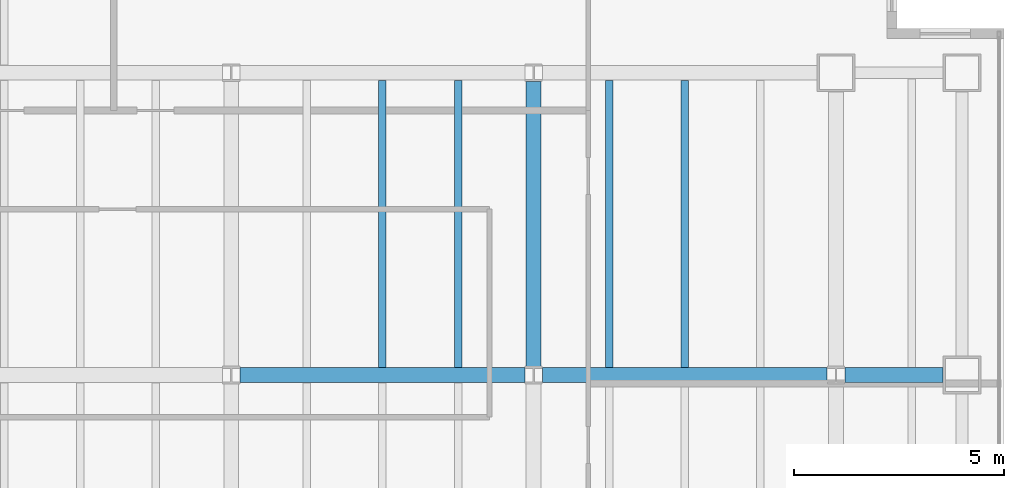
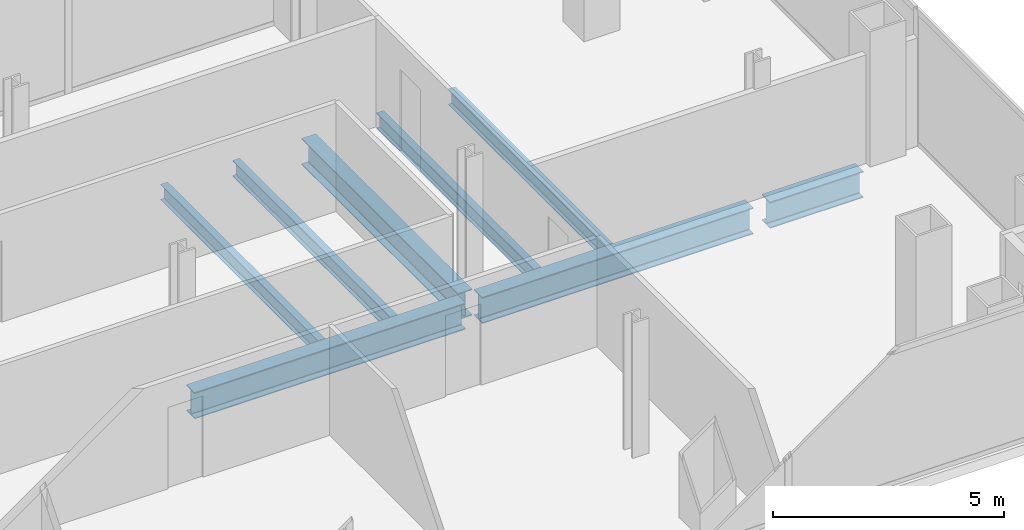
# One storey, part 12 of 24: 8 beams.
"""IFC4 building model written with IfcOpenShell, lengths in metres."""

import ifcopenshell
import ifcopenshell.guid

model = None  # the IFC model being written
_history = None  # IfcOwnerHistory: only IFC2X3 demands one
_inside = {}  # id of a spatial element -> (the spatial element, [elements in it])
_under = {}  # id of a project, library or spatial element -> (it, [spatial elements below it])
_declared = {}  # id of a project -> (the project, [libraries it declares])
_typed = {}  # id of a type object -> (the type object, [elements of that type])
_made_of = {}  # id of a material, layer set ... -> (it, [elements and type objects made of it])


def new_model(schema):
    """Start an empty IFC model of exactly this schema.

    Asked for "IFC4X3", IfcOpenShell would pick the latest addendum, in which some entities
    have other attributes; the version numbers below select the first issue.
    IFC2X3 requires an IfcOwnerHistory on every rooted entity: one is made here for all.
    """
    global model, _history
    if schema == "IFC4X3":
        model = ifcopenshell.file(schema_version=(4, 3, 0, 0))
    else:
        model = ifcopenshell.file(schema=schema)
    _inside.clear()
    _under.clear()
    _declared.clear()
    _typed.clear()
    _made_of.clear()
    _history = None
    if model.schema == "IFC2X3":
        org = make("IfcOrganization", Name="unknown")
        user = make(
            "IfcPersonAndOrganization",
            ThePerson=make("IfcPerson", FamilyName="unknown"),
            TheOrganization=org,
        )
        app = make(
            "IfcApplication",
            ApplicationDeveloper=org,
            Version="unknown",
            ApplicationFullName="unknown",
            ApplicationIdentifier="unknown",
        )
        _history = make(
            "IfcOwnerHistory",
            OwningUser=user,
            OwningApplication=app,
            ChangeAction="ADDED",
            CreationDate=0,
        )
    return model


def make(cls, **values):
    """One entity of the class cls with the attributes given. An attribute that is None is left unset."""
    return model.create_entity(
        cls, **{name: value for name, value in values.items() if value is not None}
    )


def rooted(cls, **values):
    """An entity with a GlobalId (a new one), such as an element, a storey or a relation."""
    return make(cls, GlobalId=ifcopenshell.guid.new(), OwnerHistory=_history, **values)


def si_unit(unit_type, name, prefix=None):
    """IfcSIUnit, for example si_unit("LENGTHUNIT", "METRE", prefix="MILLI")."""
    return make("IfcSIUnit", UnitType=unit_type, Prefix=prefix, Name=name)


def assignment(units):
    """IfcUnitAssignment: the units of a project."""
    return None if units is None else make("IfcUnitAssignment", Units=units)


def point(xyz):
    """IfcCartesianPoint."""
    return None if xyz is None else make("IfcCartesianPoint", Coordinates=xyz)


def direction(xyz):
    """IfcDirection."""
    return None if xyz is None else make("IfcDirection", DirectionRatios=xyz)


def frame(location, z_axis=None, x_axis=None):
    """IfcAxis2Placement3D, a coordinate frame: its origin and axes. An axis left out is left unset."""
    return make(
        "IfcAxis2Placement3D",
        Location=point(location),
        Axis=direction(z_axis),
        RefDirection=direction(x_axis),
    )


def frame_2d(location, x_axis=None):
    """IfcAxis2Placement2D, a coordinate frame in the plane: its origin and x axis."""
    return make(
        "IfcAxis2Placement2D", Location=point(location), RefDirection=direction(x_axis)
    )


def origin():
    """The frame at (0, 0, 0) with its axes left unset."""
    return frame((0.0, 0.0, 0.0))


def origin_2d():
    """The frame at (0, 0) in the plane with its x axis left unset."""
    return frame_2d((0.0, 0.0))


def place(relative_to, where):
    """IfcLocalPlacement: puts the frame where relative to a parent placement (None: the world)."""
    return make(
        "IfcLocalPlacement", PlacementRelTo=relative_to, RelativePlacement=where
    )


def context(
    kind, dimensions, precision=None, world=None, true_north=None, identifier=None
):
    """IfcGeometricRepresentationContext, for example the 3D "Model" context."""
    return make(
        "IfcGeometricRepresentationContext",
        ContextIdentifier=identifier,
        ContextType=kind,
        CoordinateSpaceDimension=dimensions,
        Precision=precision,
        WorldCoordinateSystem=world,
        TrueNorth=true_north,
    )


def subcontext(parent, identifier, kind, view, scale=None):
    """IfcGeometricRepresentationSubContext, for example "Body" below "Model"."""
    return make(
        "IfcGeometricRepresentationSubContext",
        ContextIdentifier=identifier,
        ContextType=kind,
        ParentContext=parent,
        TargetScale=scale,
        TargetView=view,
    )


def project(units=None, contexts=None):
    """IfcProject with its units and contexts."""
    return rooted(
        "IfcProject",
        Name="project",
        RepresentationContexts=contexts,
        UnitsInContext=assignment(units),
    )


def spatial(cls, under=None, at=None, **own):
    """A site, building, storey or space (cls), placed at a placement, below another one or the project."""
    s = rooted(cls, ObjectPlacement=at, **own)
    if under is not None:
        _under.setdefault(under.id(), (under, []))[1].append(s)
    return s


def profile(cls, at=None, kind="AREA", **sizes):
    """A parametric profile (cls). Its sizes go by their IFC names, for example OverallWidth=200.0."""
    return make(cls, ProfileType=kind, Position=at, **sizes)


def i_section(**sizes):
    """IfcIShapeProfileDef."""
    return profile("IfcIShapeProfileDef", **sizes)


def extrude(swept, where, along, depth):
    """IfcExtrudedAreaSolid: the profile swept, set in the frame where, extruded along a direction by depth."""
    return make(
        "IfcExtrudedAreaSolid",
        SweptArea=swept,
        Position=where,
        ExtrudedDirection=direction(along),
        Depth=depth,
    )


def shape(context_of_items, identifier, shape_type, items):
    """IfcShapeRepresentation: the items that make up one representation, for example the "Body"."""
    return make(
        "IfcShapeRepresentation",
        ContextOfItems=context_of_items,
        RepresentationIdentifier=identifier,
        RepresentationType=shape_type,
        Items=items,
    )


def material(Name=None, Category=None):
    """IfcMaterial."""
    return make("IfcMaterial", Name=Name, Category=Category)


def material_profile(
    of_material, cross_section, Name=None, Category=None, Priority=None
):
    """IfcMaterialProfile: a cross section and its material."""
    return make(
        "IfcMaterialProfile",
        Name=Name,
        Material=of_material,
        Profile=cross_section,
        Priority=Priority,
        Category=Category,
    )


def profile_set(profiles, Name=None, composite=None):
    """IfcMaterialProfileSet."""
    return make(
        "IfcMaterialProfileSet",
        Name=Name,
        MaterialProfiles=profiles,
        CompositeProfile=composite,
    )


def made_of(thing, what):
    """Note that an element or type object is made of a material, layer set ...; save() writes the relation."""
    if what is not None:
        _made_of.setdefault(what.id(), (what, []))[1].append(thing)
    return thing


def type_object(cls, material=None, **own):
    """A type object (cls), such as IfcWallType, which elements share."""
    return made_of(rooted(cls, **own), material)


def element(
    cls,
    number,
    at=None,
    inside=None,
    cuts=None,
    type_object=None,
    material=None,
    context=None,
    identifier="Body",
    shape_type=None,
    held_by="IfcProductDefinitionShape",
    body=None,
    shapes=None,
    **own,
):
    """One element of the class cls, such as IfcWall. Its Tag is "e" and its number.

    at: its placement. inside: the storey or other place that contains it. cuts: it is an
    opening in that element (IfcRelVoidsElement). A single representation is given by context,
    identifier, shape_type and body (its items); several are given by shapes. held_by: the class
    of the entity that holds the representations. save() writes the other relations.
    """
    e = rooted(cls, Tag="e%d" % number, ObjectPlacement=at, **own)
    if body is not None:
        shapes = [shape(context, identifier, shape_type, body)]
    if shapes is not None:
        e.Representation = make(held_by, Representations=shapes)
    if inside is not None:
        _inside.setdefault(inside.id(), (inside, []))[1].append(e)
    if cuts is not None:
        rooted(
            "IfcRelVoidsElement", RelatingBuildingElement=cuts, RelatedOpeningElement=e
        )
    if type_object is not None:
        _typed.setdefault(type_object.id(), (type_object, []))[1].append(e)
    return made_of(e, material)


def aggregate(whole, parts):
    """IfcRelAggregates: a whole, such as a stair, and the parts it consists of."""
    return rooted("IfcRelAggregates", RelatingObject=whole, RelatedObjects=parts)


def save(model, path):
    """Write the relations noted so far, then the file.

    IfcRelAggregates (storeys below a building ...), IfcRelContainedInSpatialStructure (elements
    in a storey), IfcRelDefinesByType, IfcRelAssociatesMaterial and IfcRelDeclares: one each for
    every whole, place, type object, material and project.
    """
    for whole, parts in _under.values():
        aggregate(whole, parts)
    for where, things in _inside.values():
        rooted(
            "IfcRelContainedInSpatialStructure",
            RelatedElements=things,
            RelatingStructure=where,
        )
    for kind, things in _typed.values():
        rooted("IfcRelDefinesByType", RelatedObjects=things, RelatingType=kind)
    for what, things in _made_of.values():
        rooted("IfcRelAssociatesMaterial", RelatedObjects=things, RelatingMaterial=what)
    for by, libraries in _declared.values():
        rooted("IfcRelDeclares", RelatingContext=by, RelatedDefinitions=libraries)
    model.write(path)


model = new_model("IFC4")

# Units and contexts
model_context = context("Model", 3, precision=1e-05, world=origin(), true_north=direction((0.0, 1.0)))
body_context = subcontext(model_context, "Body", "Model", "MODEL_VIEW")
ifc_project = project(units=[si_unit("LENGTHUNIT", "METRE"), si_unit("AREAUNIT", "SQUARE_METRE"), si_unit("VOLUMEUNIT", "CUBIC_METRE"), si_unit("PLANEANGLEUNIT", "RADIAN"), si_unit("MASSUNIT", "GRAM", prefix="KILO")], contexts=[model_context])

# Site, building, storey
site_placement = place(None, origin())
site = spatial("IfcSite", under=ifc_project, at=site_placement, CompositionType="ELEMENT")
building_placement = place(site_placement, origin())
building = spatial("IfcBuilding", under=site, at=building_placement, Name="Cobrela Telecom Tower", CompositionType="ELEMENT")
storey_placement = place(building_placement, frame((0.0, 0.0, 136.85009765625)))
storey = spatial("IfcBuildingStorey", under=building, at=storey_placement, Name="L34", CompositionType="ELEMENT", Elevation=136.85009765625)

# Beams
ifc_material = material(Name="Steel ASTM A992 Grade 50", Category="steel")
ifc_material_profile_1 = material_profile(ifc_material, i_section(OverallWidth=0.35595703125, OverallDepth=0.696044921875, WebThickness=0.015380859375, FlangeThickness=0.024658203125, FilletRadius=0.01806640625, at=origin_2d()), Name="W27X146")
ifc_profile_set_1 = profile_set([ifc_material_profile_1], Name="Steel ASTM A992 Grade 50")
beam_type_1 = type_object("IfcBeamType", Name="BM-GIRD-05", PredefinedType="USERDEFINED", material=ifc_profile_set_1)
for number, where, z_axis, x_axis, name in (
    (1, (29.009521484375, 14.39990234375, -0.6181640625), (1.0, 0.0, 0.0), (0.0, 1.0, 0.0), "L34 Primary Girder X15"),
    (2, (36.20947265625, 14.39990234375, -0.6181640625), (1.0, 0.0, 0.0), (0.0, 1.0, 0.0), "L34 Primary Girder X16"),
):
    element("IfcBeam", number, at=place(storey_placement, frame(where, z_axis=z_axis, x_axis=x_axis)), inside=storey, type_object=beam_type_1, Name=name, ObjectType="GIRDER", PredefinedType="USERDEFINED", context=body_context, shape_type="SweptSolid", body=[
        extrude(i_section(OverallWidth=0.35595703125, OverallDepth=0.696044921875, WebThickness=0.015380859375, FlangeThickness=0.024658203125, FilletRadius=0.01806640625, at=origin_2d()), origin(), (0.0, 0.0, 1.0), 6.781005859375),
    ])
beam_1_placement = place(storey_placement, frame((43.409423828125, 14.39990234375, -0.6181640625), z_axis=(1.0, 0.0, 0.0), x_axis=(0.0, 1.0, 0.0)))
element("IfcBeam", 3, at=beam_1_placement, inside=storey, type_object=beam_type_1, Name="L34 Primary Girder X17", ObjectType="GIRDER", PredefinedType="USERDEFINED", context=body_context, shape_type="SweptSolid", body=[
    extrude(i_section(OverallWidth=0.35595703125, OverallDepth=0.696044921875, WebThickness=0.015380859375, FlangeThickness=0.024658203125, FilletRadius=0.01806640625, at=origin_2d()), origin(), (0.0, 0.0, 1.0), 2.335693359375),
])
beam_2_placement = place(storey_placement, frame((36.0, 14.609619140625, -0.6181640625), z_axis=(0.0, 1.0, 0.0), x_axis=(-1.0, 0.0, 0.0)))
element("IfcBeam", 4, at=beam_2_placement, inside=storey, type_object=beam_type_1, Name="L34 Primary Girder Y51", ObjectType="GIRDER", PredefinedType="USERDEFINED", context=body_context, shape_type="SweptSolid", body=[
    extrude(i_section(OverallWidth=0.35595703125, OverallDepth=0.696044921875, WebThickness=0.015380859375, FlangeThickness=0.024658203125, FilletRadius=0.01806640625, at=origin_2d()), origin(), (0.0, 0.0, 1.0), 6.78076171875),
])
ifc_material_profile_2 = material_profile(ifc_material, i_section(OverallWidth=0.179931640625, OverallDepth=0.4169921875, WebThickness=0.010986328125, FlangeThickness=0.01806640625, FilletRadius=0.011962890625, at=origin_2d()), Name="W16X57")
ifc_profile_set_2 = profile_set([ifc_material_profile_2], Name="Steel ASTM A992 Grade 50")
beam_type_2 = type_object("IfcBeamType", Name="BM-JOIST-04", PredefinedType="JOIST", material=ifc_profile_set_2)
for number, where, z_axis, x_axis, name in (
    (5, (32.39990234375, 14.5830078125, -0.478515625), (0.0, 1.0, 0.0), (-1.0, 0.0, 0.0), "L34 Secondary Composite Floor Beam J30"),
    (6, (34.199951171875, 14.5830078125, -0.478515625), (0.0, 1.0, 0.0), (-1.0, 0.0, 0.0), "L34 Secondary Composite Floor Beam J32"),
    (7, (37.800048828125, 14.5830078125, -0.478515625), (0.0, 1.0, 0.0), (-1.0, 0.0, 0.0), "L34 Secondary Composite Floor Beam J34"),
    (8, (39.60009765625, 14.5830078125, -0.478515625), (0.0, 1.0, 0.0), (-1.0, 0.0, 0.0), "L34 Secondary Composite Floor Beam J36"),
):
    element("IfcBeam", number, at=place(storey_placement, frame(where, z_axis=z_axis, x_axis=x_axis)), inside=storey, type_object=beam_type_2, Name=name, PredefinedType="JOIST", context=body_context, shape_type="SweptSolid", body=[
        extrude(i_section(OverallWidth=0.179931640625, OverallDepth=0.4169921875, WebThickness=0.010986328125, FlangeThickness=0.01806640625, FilletRadius=0.011962890625, at=origin_2d()), origin(), (0.0, 0.0, 1.0), 6.833984375),
    ])

save(model, "model.ifc")
